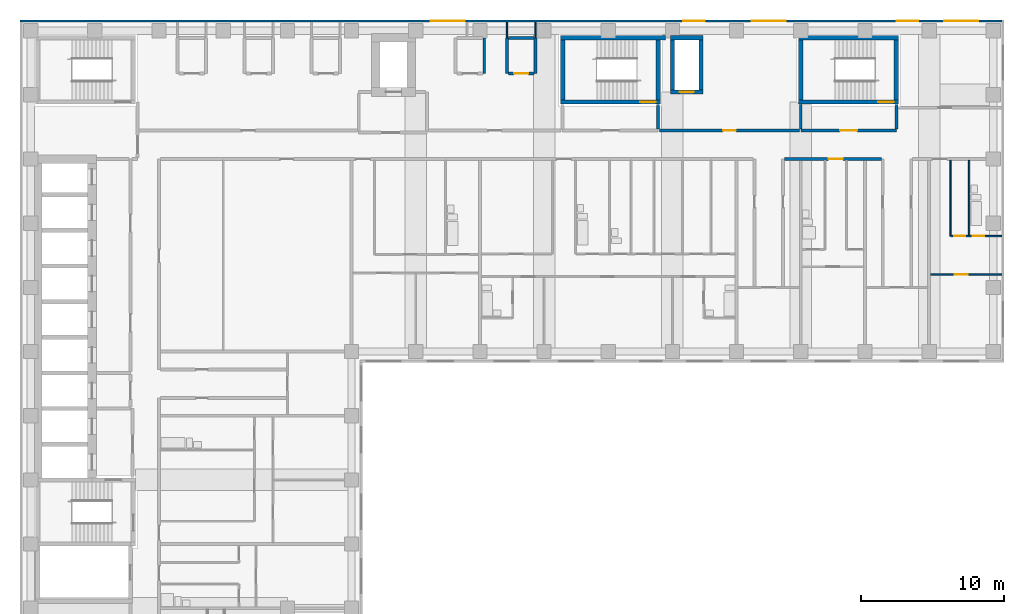
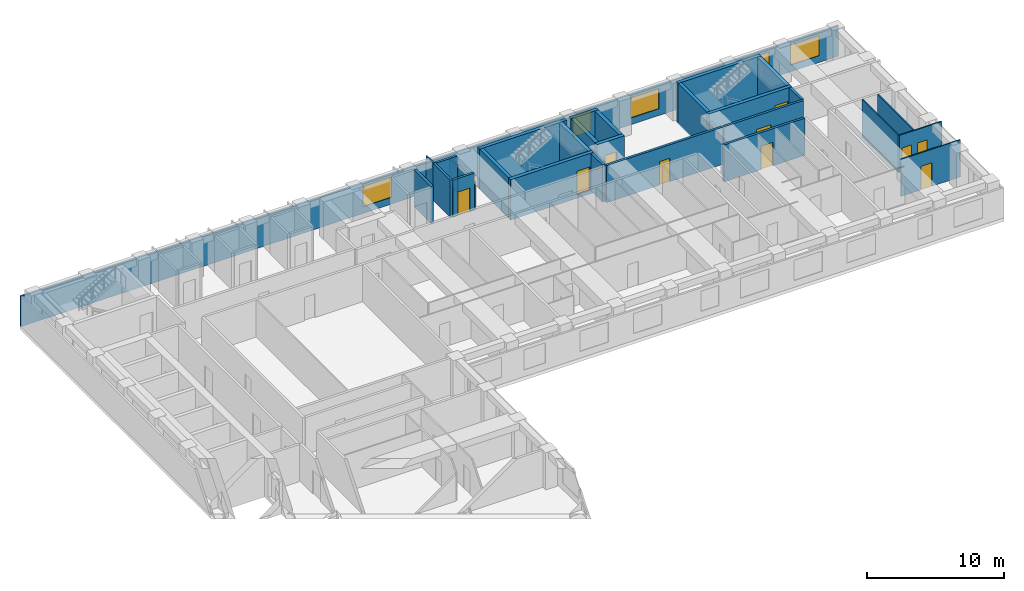
# One storey, part 8 of 12: 30 walls, 10 doors, 5 windows, 15 openings.
"""IFC4 building model written with IfcOpenShell, lengths in metres."""

from ifc_helpers import new_model, si_unit, direction, frame, frame_2d, origin, place, context, subcontext, project, spatial, rectangle, extrude, material, layer, layer_set, type_object, element, fill, save


model = new_model("IFC4")

# Units and contexts
model_context = context("Model", 3, precision=1e-05, world=origin(), true_north=direction((0.0, 1.0)))
body_context = subcontext(model_context, "Body", "Model", "MODEL_VIEW")
ifc_project = project(units=[si_unit("LENGTHUNIT", "METRE"), si_unit("AREAUNIT", "SQUARE_METRE"), si_unit("VOLUMEUNIT", "CUBIC_METRE"), si_unit("PLANEANGLEUNIT", "RADIAN"), si_unit("MASSUNIT", "GRAM", prefix="KILO")], contexts=[model_context])

# Site, building, storey
site_placement = place(None, origin())
site = spatial("IfcSite", under=ifc_project, at=site_placement, CompositionType="ELEMENT")
building_placement = place(site_placement, origin())
building = spatial("IfcBuilding", under=site, at=building_placement, Name="Firuza Court", CompositionType="ELEMENT")
storey_placement = place(building_placement, frame((0.0, 0.0, 126.800048828125)))
storey = spatial("IfcBuildingStorey", under=building, at=storey_placement, Name="L31", CompositionType="ELEMENT", Elevation=126.800048828125)

# Wall
ifc_material_1 = material(Name="Moisture-resistant gypsum board partition")
ifc_layer_1 = layer(ifc_material_1, 0.10009765625)
ifc_layer_set_1 = layer_set([ifc_layer_1], Name="Moisture-resistant gypsum board partition")
wall_type_1 = type_object("IfcWallType", Name="Bathroom partition 100", PredefinedType="PLUMBINGWALL", material=ifc_layer_set_1)
wall_1_placement = place(storey_placement, frame((65.800048828125, 44.14990234375, 0.0), z_axis=(0.0, 0.0, 1.0), x_axis=(0.0, 1.0, 0.0)))
element("IfcWall", 1, at=wall_1_placement, inside=storey, type_object=wall_type_1, Name="Bathroom partition 100 L31", PredefinedType="PLUMBINGWALL", context=body_context, shape_type="SweptSolid", body=[
    extrude(rectangle(XDim=5.25, YDim=0.10009765625, at=frame_2d((2.625, 0.0))), origin(), (0.0, 0.0, 1.0), 3.300048828125),
])

# Wall, opening, door
ifc_material_2 = material(Name="Concrete C60/75", Category="concrete")
ifc_layer_2 = layer(ifc_material_2, 0.300048828125)
ifc_layer_set_2 = layer_set([ifc_layer_2], Name="Concrete C60/75")
wall_type_2 = type_object("IfcWallType", Name="Core wall 300 C60/75", PredefinedType="SHEAR", material=ifc_layer_set_2)
wall_2_placement = place(storey_placement, frame((37.14990234375, 53.5, -0.300048828125), z_axis=(0.0, 0.0, 1.0), x_axis=(1.0, 0.0, 0.0)))
wall_2 = element("IfcWall", 2, at=wall_2_placement, inside=storey, type_object=wall_type_2, Name="Core wall stair L31", PredefinedType="SHEAR", context=body_context, shape_type="SweptSolid", body=[
    extrude(rectangle(XDim=7.0, YDim=0.300048828125, at=frame_2d((3.5, 0.0))), origin(), (0.0, 0.0, 1.0), 3.60009765625),
])
opening_1_placement = place(wall_2_placement, frame((5.580078125, 0.0, 0.300048828125)))
opening_1 = element("IfcOpeningElement", 3, at=opening_1_placement, cuts=wall_2, Name="Opening D31012", PredefinedType="OPENING", context=body_context, shape_type="SweptSolid", body=[
    extrude(rectangle(XDim=1.10009765625, YDim=2.10009765625, at=frame_2d((0.550048828125, 1.050048828125))), frame((0.0, 0.162109375, 0.0), z_axis=(0.0, -1.0, 0.0), x_axis=(1.0, 0.0, 0.0)), (0.0, 0.0, 1.0), 0.323974609375),
])
ifc_material_3 = material(Name="Timber door leaf in hardwood frame", Category="wood")
door_type_1 = type_object("IfcDoorType", Name="Stair door 1100", OperationType="SINGLE_SWING_LEFT", PredefinedType="DOOR", material=ifc_material_3)
door_1_placement = place(opening_1_placement, origin())
door_1 = element("IfcDoor", 4, at=door_1_placement, inside=storey, type_object=door_type_1, Name="Stair door S1", OperationType="SINGLE_SWING_RIGHT", OverallHeight=2.10009765625, OverallWidth=1.10009765625, PredefinedType="DOOR", context=body_context, shape_type="SweptSolid", body=[
    extrude(rectangle(XDim=1.10009765625, YDim=2.10009765625, at=frame_2d((0.550048828125, 1.050048828125))), frame((0.0, 0.02490234375, 0.0), z_axis=(0.0, -1.0, 0.0), x_axis=(1.0, 0.0, 0.0)), (0.0, 0.0, 1.0), 0.050048828125),
])
fill(opening_1, door_1)

# Walls
wall_3_placement = place(storey_placement, frame((37.14990234375, 58.0, -0.300048828125), z_axis=(0.0, 0.0, 1.0), x_axis=(1.0, 0.0, 0.0)))
element("IfcWall", 5, at=wall_3_placement, inside=storey, type_object=wall_type_2, Name="Core wall stair L31", PredefinedType="SHEAR", context=body_context, shape_type="SweptSolid", body=[
    extrude(rectangle(XDim=7.35009765625, YDim=0.300048828125, at=frame_2d((3.675048828125, 0.0))), origin(), (0.0, 0.0, 1.0), 3.60009765625),
])
for number, where, z_axis, x_axis, name in (
    (6, (37.300048828125, 53.64990234375, -0.300048828125), (0.0, 0.0, 1.0), (0.0, 1.0, 0.0), "Core wall stair L31"),
    (7, (44.0, 53.64990234375, -0.300048828125), (0.0, 0.0, 1.0), (0.0, 1.0, 0.0), "Core wall stair L31"),
):
    element("IfcWall", number, at=place(storey_placement, frame(where, z_axis=z_axis, x_axis=x_axis)), inside=storey, type_object=wall_type_2, Name=name, PredefinedType="SHEAR", context=body_context, shape_type="SweptSolid", body=[
        extrude(rectangle(XDim=4.2001953125, YDim=0.300048828125, at=frame_2d((2.10009765625, 0.0))), origin(), (0.0, 0.0, 1.0), 3.60009765625),
    ])

# Wall, opening, door
wall_4_placement = place(storey_placement, frame((44.85009765625, 54.199951171875, -0.300048828125), z_axis=(0.0, 0.0, 1.0), x_axis=(1.0, 0.0, 0.0)))
wall_4 = element("IfcWall", 8, at=wall_4_placement, inside=storey, type_object=wall_type_2, Name="Core wall riser L31", PredefinedType="SHEAR", context=body_context, shape_type="SweptSolid", body=[
    extrude(rectangle(XDim=2.2998046875, YDim=0.300048828125, at=frame_2d((1.14990234375, 0.0))), origin(), (0.0, 0.0, 1.0), 3.60009765625),
])
opening_2_placement = place(wall_4_placement, frame((0.64990234375, 0.0, 0.300048828125)))
opening_2 = element("IfcOpeningElement", 9, at=opening_2_placement, cuts=wall_4, Name="Opening D31010", PredefinedType="OPENING", context=body_context, shape_type="SweptSolid", body=[
    extrude(rectangle(XDim=1.0, YDim=2.10009765625, at=frame_2d((0.5, 1.050048828125))), frame((0.0, 0.162109375, 0.0), z_axis=(0.0, -1.0, 0.0), x_axis=(1.0, 0.0, 0.0)), (0.0, 0.0, 1.0), 0.323974609375),
])
ifc_material_4 = material(Name="Timber door leaf in hardwood frame", Category="wood")
door_type_2 = type_object("IfcDoorType", Name="Riser door 1000", OperationType="SINGLE_SWING_LEFT", PredefinedType="DOOR", material=ifc_material_4)
door_2_placement = place(opening_2_placement, origin())
door_2 = element("IfcDoor", 10, at=door_2_placement, inside=storey, type_object=door_type_2, Name="Riser door R3", OperationType="SINGLE_SWING_LEFT", OverallHeight=2.10009765625, OverallWidth=1.0, PredefinedType="DOOR", context=body_context, shape_type="SweptSolid", body=[
    extrude(rectangle(XDim=1.0, YDim=2.10009765625, at=frame_2d((0.5, 1.050048828125))), frame((0.0, 0.02490234375, 0.0), z_axis=(0.0, -1.0, 0.0), x_axis=(1.0, 0.0, 0.0)), (0.0, 0.0, 1.0), 0.050048828125),
])
fill(opening_2, door_2)

# Walls
wall_5_placement = place(storey_placement, frame((44.85009765625, 58.0, -0.300048828125), z_axis=(0.0, 0.0, 1.0), x_axis=(1.0, 0.0, 0.0)))
element("IfcWall", 11, at=wall_5_placement, inside=storey, type_object=wall_type_2, Name="Core wall riser L31", PredefinedType="SHEAR", context=body_context, shape_type="SweptSolid", body=[
    extrude(rectangle(XDim=2.2998046875, YDim=0.300048828125, at=frame_2d((1.14990234375, 0.0))), origin(), (0.0, 0.0, 1.0), 3.60009765625),
])
for number, where, z_axis, x_axis, name in (
    (12, (45.0, 54.35009765625, -0.300048828125), (0.0, 0.0, 1.0), (0.0, 1.0, 0.0), "Core wall riser L31"),
    (13, (47.0, 54.35009765625, -0.300048828125), (0.0, 0.0, 1.0), (0.0, 1.0, 0.0), "Core wall riser L31"),
):
    element("IfcWall", number, at=place(storey_placement, frame(where, z_axis=z_axis, x_axis=x_axis)), inside=storey, type_object=wall_type_2, Name=name, PredefinedType="SHEAR", context=body_context, shape_type="SweptSolid", body=[
        extrude(rectangle(XDim=3.5, YDim=0.300048828125, at=frame_2d((1.75, 0.0))), origin(), (0.0, 0.0, 1.0), 3.60009765625),
    ])

# Wall, opening, door
wall_6_placement = place(storey_placement, frame((53.85009765625, 53.5, -0.300048828125), z_axis=(0.0, 0.0, 1.0), x_axis=(1.0, 0.0, 0.0)))
wall_6 = element("IfcWall", 14, at=wall_6_placement, inside=storey, type_object=wall_type_2, Name="Core wall stair L31", PredefinedType="SHEAR", context=body_context, shape_type="SweptSolid", body=[
    extrude(rectangle(XDim=7.0, YDim=0.300048828125, at=frame_2d((3.5, 0.0))), origin(), (0.0, 0.0, 1.0), 3.60009765625),
])
opening_3_placement = place(wall_6_placement, frame((5.580078125, 0.0, 0.300048828125)))
opening_3 = element("IfcOpeningElement", 15, at=opening_3_placement, cuts=wall_6, Name="Opening D31016", PredefinedType="OPENING", context=body_context, shape_type="SweptSolid", body=[
    extrude(rectangle(XDim=1.10009765625, YDim=2.10009765625, at=frame_2d((0.550048828125, 1.050048828125))), frame((0.0, 0.162109375, 0.0), z_axis=(0.0, -1.0, 0.0), x_axis=(1.0, 0.0, 0.0)), (0.0, 0.0, 1.0), 0.323974609375),
])
door_3_placement = place(opening_3_placement, origin())
door_3 = element("IfcDoor", 16, at=door_3_placement, inside=storey, type_object=door_type_1, Name="Stair door S4", OperationType="SINGLE_SWING_RIGHT", OverallHeight=2.10009765625, OverallWidth=1.10009765625, PredefinedType="DOOR", context=body_context, shape_type="SweptSolid", body=[
    extrude(rectangle(XDim=1.10009765625, YDim=2.10009765625, at=frame_2d((0.550048828125, 1.050048828125))), frame((0.0, 0.02490234375, 0.0), z_axis=(0.0, -1.0, 0.0), x_axis=(1.0, 0.0, 0.0)), (0.0, 0.0, 1.0), 0.050048828125),
])
fill(opening_3, door_3)

# Walls
wall_7_placement = place(storey_placement, frame((53.85009765625, 58.0, -0.300048828125), z_axis=(0.0, 0.0, 1.0), x_axis=(1.0, 0.0, 0.0)))
element("IfcWall", 17, at=wall_7_placement, inside=storey, type_object=wall_type_2, Name="Core wall stair L31", PredefinedType="SHEAR", context=body_context, shape_type="SweptSolid", body=[
    extrude(rectangle(XDim=7.0, YDim=0.300048828125, at=frame_2d((3.5, 0.0))), origin(), (0.0, 0.0, 1.0), 3.60009765625),
])
for number, where, z_axis, x_axis, name in (
    (18, (54.0, 53.64990234375, -0.300048828125), (0.0, 0.0, 1.0), (0.0, 1.0, 0.0), "Core wall stair L31"),
    (19, (60.699951171875, 53.64990234375, -0.300048828125), (0.0, 0.0, 1.0), (0.0, 1.0, 0.0), "Core wall stair L31"),
):
    element("IfcWall", number, at=place(storey_placement, frame(where, z_axis=z_axis, x_axis=x_axis)), inside=storey, type_object=wall_type_2, Name=name, PredefinedType="SHEAR", context=body_context, shape_type="SweptSolid", body=[
        extrude(rectangle(XDim=4.2001953125, YDim=0.300048828125, at=frame_2d((2.10009765625, 0.0))), origin(), (0.0, 0.0, 1.0), 3.60009765625),
    ])

# Wall, opening, door
ifc_material_5 = material(Name="Blockwork, plastered both sides", Category="masonry")
ifc_layer_3 = layer(ifc_material_5, 0.199951171875)
ifc_layer_set_3 = layer_set([ifc_layer_3], Name="Blockwork, plastered both sides")
wall_type_3 = type_object("IfcWallType", Name="Corridor wall 200", PredefinedType="PARTITIONING", material=ifc_layer_set_3)
wall_8_placement = place(storey_placement, frame((52.85009765625, 49.5, 0.0), z_axis=(0.0, 0.0, 1.0), x_axis=(1.0, 0.0, 0.0)))
wall_8 = element("IfcWall", 20, at=wall_8_placement, inside=storey, type_object=wall_type_3, Name="Corridor wall 200 L31", PredefinedType="PARTITIONING", context=body_context, shape_type="SweptSolid", body=[
    extrude(rectangle(XDim=6.7998046875, YDim=0.199951171875, at=frame_2d((3.39990234375, 0.0))), origin(), (0.0, 0.0, 1.0), 3.300048828125),
])
opening_4_placement = place(wall_8_placement, frame((3.10009765625, 0.0, 0.0)))
opening_4 = element("IfcOpeningElement", 21, at=opening_4_placement, cuts=wall_8, Name="Opening D31069", PredefinedType="OPENING", context=body_context, shape_type="SweptSolid", body=[
    extrude(rectangle(XDim=1.0, YDim=2.10009765625, at=frame_2d((0.5, 1.050048828125))), frame((0.0, 0.11181640625, 0.0), z_axis=(0.0, -1.0, 0.0), x_axis=(1.0, 0.0, 0.0)), (0.0, 0.0, 1.0), 0.223876953125),
])
ifc_material_6 = material(Name="Timber door leaf in hardwood frame", Category="wood")
door_type_3 = type_object("IfcDoorType", Name="Flat entrance door 1000", OperationType="SINGLE_SWING_LEFT", PredefinedType="DOOR", material=ifc_material_6)
door_4_placement = place(opening_4_placement, origin())
door_4 = element("IfcDoor", 22, at=door_4_placement, inside=storey, type_object=door_type_3, Name="Flat entrance door", OperationType="SINGLE_SWING_LEFT", OverallHeight=2.10009765625, OverallWidth=1.0, PredefinedType="DOOR", context=body_context, shape_type="SweptSolid", body=[
    extrude(rectangle(XDim=1.0, YDim=2.10009765625, at=frame_2d((0.5, 1.050048828125))), frame((0.0, 0.02490234375, 0.0), z_axis=(0.0, -1.0, 0.0), x_axis=(1.0, 0.0, 0.0)), (0.0, 0.0, 1.0), 0.050048828125),
])
fill(opening_4, door_4)

wall_9_placement = place(storey_placement, frame((44.10009765625, 51.5, 0.0), z_axis=(0.0, 0.0, 1.0), x_axis=(1.0, 0.0, 0.0)))
wall_9 = element("IfcWall", 23, at=wall_9_placement, inside=storey, type_object=wall_type_3, Name="Corridor wall 200 L31", PredefinedType="PARTITIONING", context=body_context, shape_type="SweptSolid", body=[
    extrude(rectangle(XDim=9.7998046875, YDim=0.199951171875, at=frame_2d((4.89990234375, 0.0))), origin(), (0.0, 0.0, 1.0), 3.300048828125),
])
opening_5_placement = place(wall_9_placement, frame((4.449951171875, 0.0, 0.0)))
opening_5 = element("IfcOpeningElement", 24, at=opening_5_placement, cuts=wall_9, Name="Opening D31073", PredefinedType="OPENING", context=body_context, shape_type="SweptSolid", body=[
    extrude(rectangle(XDim=0.89990234375, YDim=2.10009765625, at=frame_2d((0.449951171875, 1.050048828125))), frame((0.0, 0.11181640625, 0.0), z_axis=(0.0, -1.0, 0.0), x_axis=(1.0, 0.0, 0.0)), (0.0, 0.0, 1.0), 0.223876953125),
])
ifc_material_7 = material(Name="Timber door leaf in hardwood frame", Category="wood")
door_type_4 = type_object("IfcDoorType", Name="Room door 900 EI 30", OperationType="SINGLE_SWING_LEFT", PredefinedType="DOOR", material=ifc_material_7)
door_5_placement = place(opening_5_placement, origin())
door_5 = element("IfcDoor", 25, at=door_5_placement, inside=storey, type_object=door_type_4, Name="Meeting room door", OperationType="SINGLE_SWING_LEFT", OverallHeight=2.10009765625, OverallWidth=0.89990234375, PredefinedType="DOOR", context=body_context, shape_type="SweptSolid", body=[
    extrude(rectangle(XDim=0.89990234375, YDim=2.10009765625, at=frame_2d((0.449951171875, 1.050048828125))), frame((0.0, 0.02490234375, 0.0), z_axis=(0.0, -1.0, 0.0), x_axis=(1.0, 0.0, 0.0)), (0.0, 0.0, 1.0), 0.050048828125),
])
fill(opening_5, door_5)

ifc_material_8 = material(Name="Timber stud partition, plasterboard both sides", Category="wood")
ifc_layer_4 = layer(ifc_material_8, 0.10009765625)
ifc_layer_set_4 = layer_set([ifc_layer_4], Name="Timber stud partition, plasterboard both sides")
wall_type_4 = type_object("IfcWallType", Name="Partition wall 100", PredefinedType="PARTITIONING", material=ifc_layer_set_4)
wall_10_placement = place(storey_placement, frame((63.10009765625, 41.39990234375, 0.0), z_axis=(0.0, 0.0, 1.0), x_axis=(1.0, 0.0, 0.0)))
wall_10 = element("IfcWall", 26, at=wall_10_placement, inside=storey, type_object=wall_type_4, Name="Partition wall 100 L31", PredefinedType="PARTITIONING", context=body_context, shape_type="SweptSolid", body=[
    extrude(rectangle(XDim=5.0, YDim=0.10009765625, at=frame_2d((2.5, 0.0))), origin(), (0.0, 0.0, 1.0), 3.300048828125),
])
opening_6_placement = place(wall_10_placement, frame((1.699951171875, 0.0, 0.0)))
opening_6 = element("IfcOpeningElement", 27, at=opening_6_placement, cuts=wall_10, Name="Opening D31049", PredefinedType="OPENING", context=body_context, shape_type="SweptSolid", body=[
    extrude(rectangle(XDim=0.89990234375, YDim=2.10009765625, at=frame_2d((0.449951171875, 1.050048828125))), frame((0.0, 0.06201171875, 0.0), z_axis=(0.0, -1.0, 0.0), x_axis=(1.0, 0.0, 0.0)), (0.0, 0.0, 1.0), 0.1240234375),
])
ifc_material_9 = material(Name="Timber door leaf in hardwood frame", Category="wood")
door_type_5 = type_object("IfcDoorType", Name="Room door 900", OperationType="SINGLE_SWING_LEFT", PredefinedType="DOOR", material=ifc_material_9)
door_6_placement = place(opening_6_placement, frame((0.89990234375, 0.0, 0.0), z_axis=(0.0, 0.0, 1.0), x_axis=(-1.0, 0.0, 0.0)))
door_6 = element("IfcDoor", 28, at=door_6_placement, inside=storey, type_object=door_type_5, Name="Studio room door", OperationType="SINGLE_SWING_RIGHT", OverallHeight=2.10009765625, OverallWidth=0.89990234375, PredefinedType="DOOR", context=body_context, shape_type="SweptSolid", body=[
    extrude(rectangle(XDim=0.89990234375, YDim=2.10009765625, at=frame_2d((0.449951171875, 1.050048828125))), frame((0.0, 0.02490234375, 0.0), z_axis=(0.0, -1.0, 0.0), x_axis=(1.0, 0.0, 0.0)), (0.0, 0.0, 1.0), 0.050048828125),
])
fill(opening_6, door_6)

# Wall
wall_11_placement = place(storey_placement, frame((64.5, 44.10009765625, 0.0), z_axis=(0.0, 0.0, 1.0), x_axis=(0.0, 1.0, 0.0)))
element("IfcWall", 29, at=wall_11_placement, inside=storey, type_object=wall_type_4, Name="Partition wall 100 L31", PredefinedType="PARTITIONING", context=body_context, shape_type="SweptSolid", body=[
    extrude(rectangle(XDim=5.2998046875, YDim=0.10009765625, at=frame_2d((2.64990234375, 0.0))), origin(), (0.0, 0.0, 1.0), 3.300048828125),
])

# Wall, openings, doors
wall_12_placement = place(storey_placement, frame((64.550048828125, 44.10009765625, 0.0), z_axis=(0.0, 0.0, 1.0), x_axis=(1.0, 0.0, 0.0)))
wall_12 = element("IfcWall", 30, at=wall_12_placement, inside=storey, type_object=wall_type_4, Name="Partition wall 100 L31", PredefinedType="PARTITIONING", context=body_context, shape_type="SweptSolid", body=[
    extrude(rectangle(XDim=3.550048828125, YDim=0.10009765625, at=frame_2d((1.77490234375, 0.0))), origin(), (0.0, 0.0, 1.0), 3.300048828125),
])
opening_7_placement = place(wall_12_placement, frame((1.5, 0.0, 0.0)))
opening_7 = element("IfcOpeningElement", 31, at=opening_7_placement, cuts=wall_12, Name="Opening D31064", PredefinedType="OPENING", context=body_context, shape_type="SweptSolid", body=[
    extrude(rectangle(XDim=0.800048828125, YDim=2.10009765625, at=frame_2d((0.39990234375, 1.050048828125))), frame((0.0, 0.06201171875, 0.0), z_axis=(0.0, -1.0, 0.0), x_axis=(1.0, 0.0, 0.0)), (0.0, 0.0, 1.0), 0.1240234375),
])
opening_8_placement = place(wall_12_placement, frame((0.199951171875, 0.0, 0.0)))
opening_8 = element("IfcOpeningElement", 32, at=opening_8_placement, cuts=wall_12, Name="Opening D31065", PredefinedType="OPENING", context=body_context, shape_type="SweptSolid", body=[
    extrude(rectangle(XDim=0.800048828125, YDim=2.10009765625, at=frame_2d((0.39990234375, 1.050048828125))), frame((0.0, 0.06201171875, 0.0), z_axis=(0.0, -1.0, 0.0), x_axis=(1.0, 0.0, 0.0)), (0.0, 0.0, 1.0), 0.1240234375),
])
ifc_material_10 = material(Name="Timber door leaf in hardwood frame", Category="wood")
door_type_6 = type_object("IfcDoorType", Name="Bathroom door 800", OperationType="SINGLE_SWING_LEFT", PredefinedType="DOOR", material=ifc_material_10)
door_7_placement = place(opening_7_placement, origin())
door_7 = element("IfcDoor", 33, at=door_7_placement, inside=storey, type_object=door_type_6, Name="Bathroom door", OperationType="SINGLE_SWING_LEFT", OverallHeight=2.10009765625, OverallWidth=0.800048828125, PredefinedType="DOOR", context=body_context, shape_type="SweptSolid", body=[
    extrude(rectangle(XDim=0.800048828125, YDim=2.10009765625, at=frame_2d((0.39990234375, 1.050048828125))), frame((0.0, 0.02490234375, 0.0), z_axis=(0.0, -1.0, 0.0), x_axis=(1.0, 0.0, 0.0)), (0.0, 0.0, 1.0), 0.050048828125),
])
fill(opening_7, door_7)
ifc_material_11 = material(Name="Timber door leaf in hardwood frame", Category="wood")
door_type_7 = type_object("IfcDoorType", Name="Room door 800", OperationType="SINGLE_SWING_LEFT", PredefinedType="DOOR", material=ifc_material_11)
door_8_placement = place(opening_8_placement, origin())
door_8 = element("IfcDoor", 34, at=door_8_placement, inside=storey, type_object=door_type_7, Name="Kitchen door", OperationType="SINGLE_SWING_LEFT", OverallHeight=2.10009765625, OverallWidth=0.800048828125, PredefinedType="DOOR", context=body_context, shape_type="SweptSolid", body=[
    extrude(rectangle(XDim=0.800048828125, YDim=2.10009765625, at=frame_2d((0.39990234375, 1.050048828125))), frame((0.0, 0.02490234375, 0.0), z_axis=(0.0, -1.0, 0.0), x_axis=(1.0, 0.0, 0.0)), (0.0, 0.0, 1.0), 0.050048828125),
])
fill(opening_8, door_8)

# Walls
wall_13_placement = place(storey_placement, frame((33.39990234375, 58.0, 0.0), z_axis=(0.0, 0.0, 1.0), x_axis=(0.0, 1.0, 0.0)))
element("IfcWall", 35, at=wall_13_placement, inside=storey, type_object=wall_type_4, Name="Partition wall 100 L31", PredefinedType="PARTITIONING", context=body_context, shape_type="SweptSolid", body=[
    extrude(rectangle(XDim=1.10009765625, YDim=0.10009765625, at=frame_2d((0.550048828125, 0.0))), origin(), (0.0, 0.0, 1.0), 3.300048828125),
])
wall_14_placement = place(storey_placement, frame((35.39990234375, 58.0, 0.0), z_axis=(0.0, 0.0, 1.0), x_axis=(0.0, 1.0, 0.0)))
element("IfcWall", 36, at=wall_14_placement, inside=storey, type_object=wall_type_4, Name="Partition wall 100 L31", PredefinedType="PARTITIONING", context=body_context, shape_type="SweptSolid", body=[
    extrude(rectangle(XDim=1.10009765625, YDim=0.10009765625, at=frame_2d((0.550048828125, 0.0))), origin(), (0.0, 0.0, 1.0), 2.39990234375),
])
ifc_material_12 = material(Name="Blockwork, fire-rated", Category="masonry")
ifc_layer_5 = layer(ifc_material_12, 0.199951171875)
ifc_layer_set_5 = layer_set([ifc_layer_5], Name="Blockwork, fire-rated")
wall_type_5 = type_object("IfcWallType", Name="Plant room wall 200", PredefinedType="PARTITIONING", material=ifc_layer_set_5)
for number, where, z_axis, x_axis, name in (
    (37, (31.800048828125, 55.5, 0.0), (0.0, 0.0, 1.0), (0.0, 1.0, 0.0), "Plant room wall 200 L31"),
    (38, (33.39990234375, 55.5, 0.0), (0.0, 0.0, 1.0), (0.0, 1.0, 0.0), "Plant room wall 200 L31"),
):
    element("IfcWall", number, at=place(storey_placement, frame(where, z_axis=z_axis, x_axis=x_axis)), inside=storey, type_object=wall_type_5, Name=name, PredefinedType="PARTITIONING", context=body_context, shape_type="SweptSolid", body=[
        extrude(rectangle(XDim=2.5, YDim=0.199951171875, at=frame_2d((1.25, 0.0))), origin(), (0.0, 0.0, 1.0), 3.300048828125),
    ])

# Wall, opening, door
wall_15_placement = place(storey_placement, frame((33.5, 55.5, 0.0), z_axis=(0.0, 0.0, 1.0), x_axis=(1.0, 0.0, 0.0)))
wall_15 = element("IfcWall", 39, at=wall_15_placement, inside=storey, type_object=wall_type_5, Name="Plant room wall 200 L31", PredefinedType="PARTITIONING", context=body_context, shape_type="SweptSolid", body=[
    extrude(rectangle(XDim=1.800048828125, YDim=0.199951171875, at=frame_2d((0.89990234375, 0.0))), origin(), (0.0, 0.0, 1.0), 3.300048828125),
])
opening_9_placement = place(wall_15_placement, frame((0.39990234375, 0.0, 0.0)))
opening_9 = element("IfcOpeningElement", 40, at=opening_9_placement, cuts=wall_15, Name="Opening D31079", PredefinedType="OPENING", context=body_context, shape_type="SweptSolid", body=[
    extrude(rectangle(XDim=1.0, YDim=2.10009765625, at=frame_2d((0.5, 1.050048828125))), frame((0.0, 0.11181640625, 0.0), z_axis=(0.0, -1.0, 0.0), x_axis=(1.0, 0.0, 0.0)), (0.0, 0.0, 1.0), 0.223876953125),
])
door_9_placement = place(opening_9_placement, origin())
door_9 = element("IfcDoor", 41, at=door_9_placement, inside=storey, type_object=door_type_2, Name="Duct riser door", OperationType="SINGLE_SWING_LEFT", OverallHeight=2.10009765625, OverallWidth=1.0, PredefinedType="DOOR", context=body_context, shape_type="SweptSolid", body=[
    extrude(rectangle(XDim=1.0, YDim=2.10009765625, at=frame_2d((0.5, 1.050048828125))), frame((0.0, 0.02490234375, 0.0), z_axis=(0.0, -1.0, 0.0), x_axis=(1.0, 0.0, 0.0)), (0.0, 0.0, 1.0), 0.050048828125),
])
fill(opening_9, door_9)

# Walls
wall_16_placement = place(storey_placement, frame((35.39990234375, 55.5, 0.0), z_axis=(0.0, 0.0, 1.0), x_axis=(0.0, 1.0, 0.0)))
element("IfcWall", 42, at=wall_16_placement, inside=storey, type_object=wall_type_5, Name="Plant room wall 200 L31", PredefinedType="PARTITIONING", context=body_context, shape_type="SweptSolid", body=[
    extrude(rectangle(XDim=2.5, YDim=0.199951171875, at=frame_2d((1.25, 0.0))), origin(), (0.0, 0.0, 1.0), 2.39990234375),
])
wall_17_placement = place(storey_placement, frame((33.5, 58.0, 0.0), z_axis=(0.0, 0.0, 1.0), x_axis=(1.0, 0.0, 0.0)))
element("IfcWall", 43, at=wall_17_placement, inside=storey, type_object=wall_type_5, Name="Plant room wall 200 L31", PredefinedType="PARTITIONING", context=body_context, shape_type="SweptSolid", body=[
    extrude(rectangle(XDim=1.800048828125, YDim=0.199951171875, at=frame_2d((0.89990234375, 0.0))), origin(), (0.0, 0.0, 1.0), 3.300048828125),
])

# Wall, openings, windows
ifc_material_13 = material(Name="Ceramic tile", Category="ceramic")
ifc_layer_6 = layer(ifc_material_13, 0.02001953125)
ifc_material_14 = material(Name="Mineral wool insulation", Category="insulation")
ifc_layer_7 = layer(ifc_material_14, 0.050048828125)
ifc_material_15 = material(Name="Concrete C40/50 precast", Category="concrete")
ifc_layer_8 = layer(ifc_material_15, 0.080078125)
ifc_layer_set_6 = layer_set([ifc_layer_6, ifc_layer_7, ifc_layer_8], Name="Concrete C40/50 precast")
wall_type_6 = type_object("IfcWallType", Name="Precast cladding wall with turquoise TILE PANEL face 150", PredefinedType="STANDARD", material=ifc_layer_set_6)
wall_18_placement = place(storey_placement, frame((68.10009765625, 59.175048828125, 0.0), z_axis=(0.0, 0.0, 1.0), x_axis=(-1.0, 0.0, 0.0)))
wall_18 = element("IfcWall", 44, at=wall_18_placement, inside=storey, type_object=wall_type_6, Name="Facade wall L31 N", PredefinedType="STANDARD", context=body_context, shape_type="SweptSolid", body=[
    extrude(rectangle(XDim=68.85009765625, YDim=0.14990234375, at=frame_2d((34.425048828125, 0.0))), origin(), (0.0, 0.0, 1.0), 2.699951171875),
])
opening_10_placement = place(wall_18_placement, frame((1.64990234375, 0.0, 0.60009765625)))
opening_10 = element("IfcOpeningElement", 45, at=opening_10_placement, cuts=wall_18, Name="Opening W1", PredefinedType="OPENING", context=body_context, shape_type="SweptSolid", body=[
    extrude(rectangle(XDim=2.39990234375, YDim=1.800048828125, at=frame_2d((1.199951171875, 0.89990234375))), frame((0.0, 0.0869140625, 0.0), z_axis=(0.0, -1.0, 0.0), x_axis=(1.0, 0.0, 0.0)), (0.0, 0.0, 1.0), 0.173828125),
])
opening_11_placement = place(wall_18_placement, frame((5.853515625, 0.0, 0.60009765625)))
opening_11 = element("IfcOpeningElement", 46, at=opening_11_placement, cuts=wall_18, Name="Opening W2", PredefinedType="OPENING", context=body_context, shape_type="SweptSolid", body=[
    extrude(rectangle(XDim=1.5, YDim=1.800048828125, at=frame_2d((0.75, 0.89990234375))), frame((0.0, 0.0869140625, 0.0), z_axis=(0.0, -1.0, 0.0), x_axis=(1.0, 0.0, 0.0)), (0.0, 0.0, 1.0), 0.173828125),
])
opening_12_placement = place(wall_18_placement, frame((15.14990234375, 0.0, 0.60009765625)))
opening_12 = element("IfcOpeningElement", 47, at=opening_12_placement, cuts=wall_18, Name="Opening W1", PredefinedType="OPENING", context=body_context, shape_type="SweptSolid", body=[
    extrude(rectangle(XDim=2.39990234375, YDim=1.800048828125, at=frame_2d((1.199951171875, 0.89990234375))), frame((0.0, 0.0869140625, 0.0), z_axis=(0.0, -1.0, 0.0), x_axis=(1.0, 0.0, 0.0)), (0.0, 0.0, 1.0), 0.173828125),
])
opening_13_placement = place(wall_18_placement, frame((20.8466796875, 0.0, 0.60009765625)))
opening_13 = element("IfcOpeningElement", 48, at=opening_13_placement, cuts=wall_18, Name="Opening W2", PredefinedType="OPENING", context=body_context, shape_type="SweptSolid", body=[
    extrude(rectangle(XDim=1.5, YDim=1.800048828125, at=frame_2d((0.75, 0.89990234375))), frame((0.0, 0.0869140625, 0.0), z_axis=(0.0, -1.0, 0.0), x_axis=(1.0, 0.0, 0.0)), (0.0, 0.0, 1.0), 0.173828125),
])
opening_14_placement = place(wall_18_placement, frame((37.64990234375, 0.0, 0.60009765625)))
opening_14 = element("IfcOpeningElement", 49, at=opening_14_placement, cuts=wall_18, Name="Opening W1", PredefinedType="OPENING", context=body_context, shape_type="SweptSolid", body=[
    extrude(rectangle(XDim=2.39990234375, YDim=1.800048828125, at=frame_2d((1.199951171875, 0.89990234375))), frame((0.0, 0.0869140625, 0.0), z_axis=(0.0, -1.0, 0.0), x_axis=(1.0, 0.0, 0.0)), (0.0, 0.0, 1.0), 0.173828125),
])
ifc_material_16 = material(Name="Aluminium frame, triple clear glazing", Category="aluminium")
window_type_1 = type_object("IfcWindowType", Name="Window W1 2400 x 1800", PartitioningType="SINGLE_PANEL", PredefinedType="WINDOW", material=ifc_material_16)
window_1_placement = place(opening_10_placement, origin())
window_1 = element("IfcWindow", 50, at=window_1_placement, inside=storey, type_object=window_type_1, Name="Window L31", OverallHeight=1.800048828125, OverallWidth=2.39990234375, PartitioningType="SINGLE_PANEL", PredefinedType="WINDOW", context=body_context, shape_type="SweptSolid", body=[
    extrude(rectangle(XDim=2.39990234375, YDim=1.800048828125, at=frame_2d((1.199951171875, 0.89990234375))), frame((0.0, 0.030029296875, 0.0), z_axis=(0.0, -1.0, 0.0), x_axis=(1.0, 0.0, 0.0)), (0.0, 0.0, 1.0), 0.06005859375),
])
fill(opening_10, window_1)
window_2_placement = place(opening_12_placement, origin())
window_2 = element("IfcWindow", 51, at=window_2_placement, inside=storey, type_object=window_type_1, Name="Window L31", OverallHeight=1.800048828125, OverallWidth=2.39990234375, PartitioningType="SINGLE_PANEL", PredefinedType="WINDOW", context=body_context, shape_type="SweptSolid", body=[
    extrude(rectangle(XDim=2.39990234375, YDim=1.800048828125, at=frame_2d((1.199951171875, 0.89990234375))), frame((0.0, 0.030029296875, 0.0), z_axis=(0.0, -1.0, 0.0), x_axis=(1.0, 0.0, 0.0)), (0.0, 0.0, 1.0), 0.06005859375),
])
fill(opening_12, window_2)
window_3_placement = place(opening_14_placement, origin())
window_3 = element("IfcWindow", 52, at=window_3_placement, inside=storey, type_object=window_type_1, Name="Window L31", OverallHeight=1.800048828125, OverallWidth=2.39990234375, PartitioningType="SINGLE_PANEL", PredefinedType="WINDOW", context=body_context, shape_type="SweptSolid", body=[
    extrude(rectangle(XDim=2.39990234375, YDim=1.800048828125, at=frame_2d((1.199951171875, 0.89990234375))), frame((0.0, 0.030029296875, 0.0), z_axis=(0.0, -1.0, 0.0), x_axis=(1.0, 0.0, 0.0)), (0.0, 0.0, 1.0), 0.06005859375),
])
fill(opening_14, window_3)
ifc_material_17 = material(Name="Aluminium frame, triple clear glazing", Category="aluminium")
window_type_2 = type_object("IfcWindowType", Name="Window W2 1500 x 1800", PartitioningType="SINGLE_PANEL", PredefinedType="WINDOW", material=ifc_material_17)
window_4_placement = place(opening_11_placement, origin())
window_4 = element("IfcWindow", 53, at=window_4_placement, inside=storey, type_object=window_type_2, Name="Window L31", OverallHeight=1.800048828125, OverallWidth=1.5, PartitioningType="SINGLE_PANEL", PredefinedType="WINDOW", context=body_context, shape_type="SweptSolid", body=[
    extrude(rectangle(XDim=1.5, YDim=1.800048828125, at=frame_2d((0.75, 0.89990234375))), frame((0.0, 0.030029296875, 0.0), z_axis=(0.0, -1.0, 0.0), x_axis=(1.0, 0.0, 0.0)), (0.0, 0.0, 1.0), 0.06005859375),
])
fill(opening_11, window_4)
window_5_placement = place(opening_13_placement, origin())
window_5 = element("IfcWindow", 54, at=window_5_placement, inside=storey, type_object=window_type_2, Name="Window L31", OverallHeight=1.800048828125, OverallWidth=1.5, PartitioningType="SINGLE_PANEL", PredefinedType="WINDOW", context=body_context, shape_type="SweptSolid", body=[
    extrude(rectangle(XDim=1.5, YDim=1.800048828125, at=frame_2d((0.75, 0.89990234375))), frame((0.0, 0.030029296875, 0.0), z_axis=(0.0, -1.0, 0.0), x_axis=(1.0, 0.0, 0.0)), (0.0, 0.0, 1.0), 0.06005859375),
])
fill(opening_13, window_5)

# Wall
ifc_layer_9 = layer(ifc_material_12, 0.199951171875)
ifc_layer_set_7 = layer_set([ifc_layer_9], Name="Blockwork, fire-rated")
wall_type_7 = type_object("IfcWallType", Name="Shaft wall 200", PredefinedType="PARTITIONING", material=ifc_layer_set_7)
wall_19_placement = place(storey_placement, frame((44.0, 51.60009765625, 0.0), z_axis=(0.0, 0.0, 1.0), x_axis=(0.0, 1.0, 0.0)))
element("IfcWall", 55, at=wall_19_placement, inside=storey, type_object=wall_type_7, Name="Shaft wall 200 L31", PredefinedType="PARTITIONING", context=body_context, shape_type="SweptSolid", body=[
    extrude(rectangle(XDim=1.72998046875, YDim=0.199951171875, at=frame_2d((0.864990234375, 0.0))), origin(), (0.0, 0.0, 1.0), 3.300048828125),
])

# Wall, opening, door
wall_20_placement = place(storey_placement, frame((54.0, 51.5, 0.0), z_axis=(0.0, 0.0, 1.0), x_axis=(1.0, 0.0, 0.0)))
wall_20 = element("IfcWall", 56, at=wall_20_placement, inside=storey, type_object=wall_type_7, Name="Shaft wall 200 L31", PredefinedType="PARTITIONING", context=body_context, shape_type="SweptSolid", body=[
    extrude(rectangle(XDim=6.699951171875, YDim=0.199951171875, at=frame_2d((3.35009765625, 0.0))), origin(), (0.0, 0.0, 1.0), 3.300048828125),
])
opening_15_placement = place(wall_20_placement, frame((2.75, 0.0, 0.0)))
opening_15 = element("IfcOpeningElement", 57, at=opening_15_placement, cuts=wall_20, Name="Opening D31007", PredefinedType="OPENING", context=body_context, shape_type="SweptSolid", body=[
    extrude(rectangle(XDim=1.199951171875, YDim=2.10009765625, at=frame_2d((0.60009765625, 1.050048828125))), frame((0.0, 0.11181640625, 0.0), z_axis=(0.0, -1.0, 0.0), x_axis=(1.0, 0.0, 0.0)), (0.0, 0.0, 1.0), 0.223876953125),
])
ifc_material_18 = material(Name="Timber door leaf in hardwood frame", Category="wood")
door_type_8 = type_object("IfcDoorType", Name="Lobby door 1200", OperationType="SINGLE_SWING_LEFT", PredefinedType="DOOR", material=ifc_material_18)
door_10_placement = place(opening_15_placement, origin())
door_10 = element("IfcDoor", 58, at=door_10_placement, inside=storey, type_object=door_type_8, Name="Lobby door", OperationType="SINGLE_SWING_LEFT", OverallHeight=2.10009765625, OverallWidth=1.199951171875, PredefinedType="DOOR", context=body_context, shape_type="SweptSolid", body=[
    extrude(rectangle(XDim=1.199951171875, YDim=2.10009765625, at=frame_2d((0.60009765625, 1.050048828125))), frame((0.0, 0.02490234375, 0.0), z_axis=(0.0, -1.0, 0.0), x_axis=(1.0, 0.0, 0.0)), (0.0, 0.0, 1.0), 0.050048828125),
])
fill(opening_15, door_10)

# Walls
wall_21_placement = place(storey_placement, frame((60.699951171875, 51.60009765625, 0.0), z_axis=(0.0, 0.0, 1.0), x_axis=(0.0, 1.0, 0.0)))
element("IfcWall", 59, at=wall_21_placement, inside=storey, type_object=wall_type_7, Name="Shaft wall 200 L31", PredefinedType="PARTITIONING", context=body_context, shape_type="SweptSolid", body=[
    extrude(rectangle(XDim=1.72998046875, YDim=0.199951171875, at=frame_2d((0.864990234375, 0.0))), origin(), (0.0, 0.0, 1.0), 3.300048828125),
])
wall_22_placement = place(storey_placement, frame((54.0, 51.60009765625, 0.0), z_axis=(0.0, 0.0, 1.0), x_axis=(0.0, 1.0, 0.0)))
element("IfcWall", 60, at=wall_22_placement, inside=storey, type_object=wall_type_7, Name="Shaft wall 200 L31", PredefinedType="PARTITIONING", context=body_context, shape_type="SweptSolid", body=[
    extrude(rectangle(XDim=1.72998046875, YDim=0.199951171875, at=frame_2d((0.864990234375, 0.0))), origin(), (0.0, 0.0, 1.0), 2.599853515625),
])

save(model, "model.ifc")
